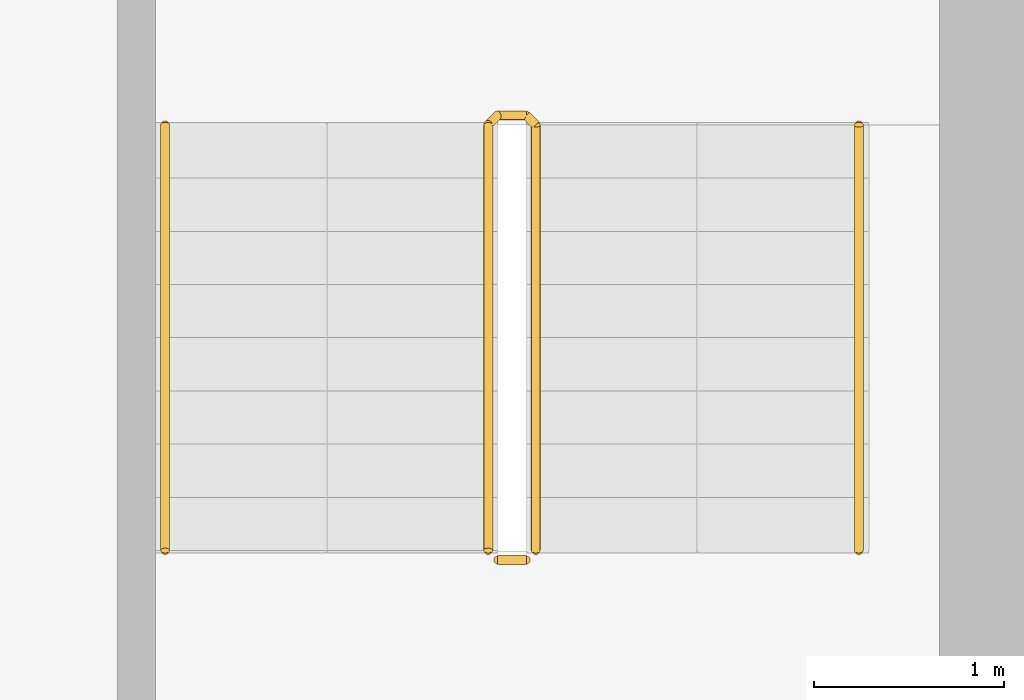
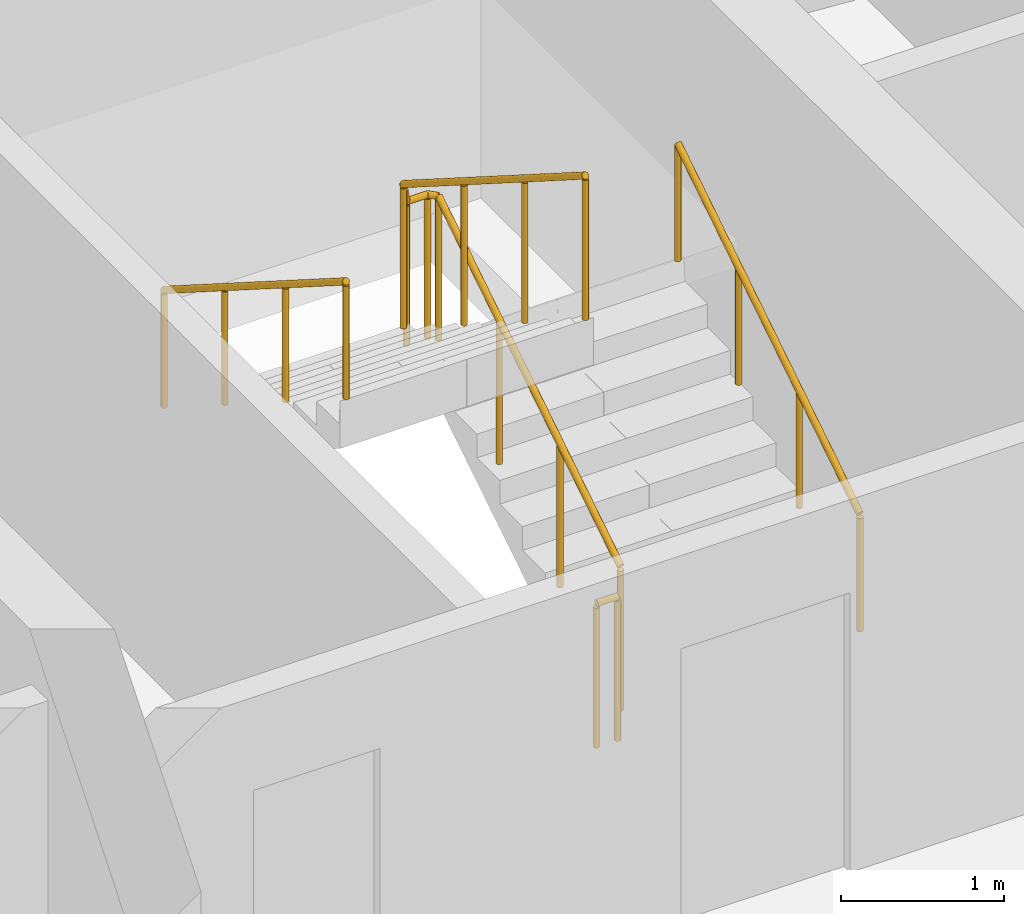
# One storey, part 17 of 17: 4 railings.
"""IFC4 building model written with IfcOpenShell, lengths in metres."""

from ifc_helpers import new_model, si_unit, direction, frame, origin, origin_2d, place, context, subcontext, project, spatial, circle, extrude, material, type_object, element, save


model = new_model("IFC4")

# Units and contexts
model_context = context("Model", 3, precision=1e-05, world=origin(), true_north=direction((0.0, 1.0)))
body_context = subcontext(model_context, "Body", "Model", "MODEL_VIEW")
ifc_project = project(units=[si_unit("LENGTHUNIT", "METRE"), si_unit("AREAUNIT", "SQUARE_METRE"), si_unit("VOLUMEUNIT", "CUBIC_METRE"), si_unit("PLANEANGLEUNIT", "RADIAN"), si_unit("MASSUNIT", "GRAM", prefix="KILO")], contexts=[model_context])

# Site, building, storey
site_placement = place(None, origin())
site = spatial("IfcSite", under=ifc_project, at=site_placement, CompositionType="ELEMENT")
building_placement = place(site_placement, origin())
building = spatial("IfcBuilding", under=site, at=building_placement, Name="Wharfspan Tower", CompositionType="ELEMENT")
storey_placement = place(building_placement, frame((0.0, 0.0, 261.100098)))
storey = spatial("IfcBuildingStorey", under=building, at=storey_placement, Name="L66", CompositionType="ELEMENT", Elevation=261.100098)

# Railings
ifc_material = material(Name="Steel S355J2", Category="steel")
railing_type_1 = type_object("IfcRailingType", Name="Stair guard 1100", PredefinedType="GUARDRAIL", material=ifc_material)
railing_1_placement = place(storey_placement, frame((48.649902, 42.0, 0.177734)))
element("IfcRailing", 1, at=railing_1_placement, inside=storey, type_object=railing_type_1, Name="L66 ST2 stair guard 1", PredefinedType="GUARDRAIL", context=body_context, shape_type="SweptSolid", body=[
    extrude(circle(Radius=0.023926, at=origin_2d()), frame((0.0, 0.0, 1.076172), z_axis=(0.0, 0.844229, 0.535982), x_axis=(-1.0, 0.0, 0.0)), (0.0, 0.0, 1.0), 2.65332),
    extrude(circle(Radius=0.023926, at=origin_2d()), frame((0.0, 2.23999, 2.498047), z_axis=(-0.705376, 0.708834, 0.0), x_axis=(-0.708834, -0.705376, 0.0)), (0.0, 0.0, 1.0), 0.070557),
    extrude(circle(Radius=0.023926, at=origin_2d()), frame((-0.049805, 2.290039, 2.498047), z_axis=(-1.0, 0.0, 0.0), x_axis=(0.0, -1.0, 0.0)), (0.0, 0.0, 1.0), 0.150146),
    extrude(circle(Radius=0.023926, at=origin_2d()), frame((-0.199951, 2.290039, 2.498047), z_axis=(-0.261612, -0.261612, 0.929042), x_axis=(0.707107, -0.707107, 0.0)), (0.0, 0.0, 1.0), 0.191406),
    extrude(circle(Radius=0.023926, at=origin_2d()), frame((-0.25, 2.23999, 2.675781), z_axis=(0.0, -0.844188, 0.536048), x_axis=(1.0, 0.0, 0.0)), (0.0, 0.0, 1.0), 2.65332),
    extrude(circle(Radius=0.020996, at=origin_2d()), origin(), (0.0, 0.0, 1.0), 1.052002),
    extrude(circle(Radius=0.020996, at=origin_2d()), frame((0.0, 0.746582, 0.474121)), (0.0, 0.0, 1.0), 1.052002),
    extrude(circle(Radius=0.020996, at=origin_2d()), frame((0.0, 1.493408, 0.947998)), (0.0, 0.0, 1.0), 1.052002),
    extrude(circle(Radius=0.020996, at=origin_2d()), frame((0.0, 2.23999, 1.422119)), (0.0, 0.0, 1.0), 1.052002),
    extrude(circle(Radius=0.020996, at=origin_2d()), frame((-0.049805, 2.290039, 1.422119)), (0.0, 0.0, 1.0), 1.052002),
    extrude(circle(Radius=0.020996, at=origin_2d()), frame((-0.199951, 2.290039, 1.422119)), (0.0, 0.0, 1.0), 1.052002),
    extrude(circle(Radius=0.020996, at=origin_2d()), frame((-0.25, 2.23999, 1.599854)), (0.0, 0.0, 1.0), 1.052002),
    extrude(circle(Radius=0.020996, at=origin_2d()), frame((-0.25, 1.493408, 2.073975)), (0.0, 0.0, 1.0), 1.052002),
    extrude(circle(Radius=0.020996, at=origin_2d()), frame((-0.25, 0.746582, 2.548096)), (0.0, 0.0, 1.0), 1.052002),
    extrude(circle(Radius=0.020996, at=origin_2d()), frame((-0.25, 0.0, 3.022217)), (0.0, 0.0, 1.0), 1.052002),
])
railing_2_placement = place(storey_placement, frame((48.600098, 41.949951, 0.0)))
element("IfcRailing", 2, at=railing_2_placement, inside=storey, type_object=railing_type_1, Name="L66 ST2 stair guard 2", PredefinedType="GUARDRAIL", context=body_context, shape_type="SweptSolid", body=[
    extrude(circle(Radius=0.023926, at=origin_2d()), frame((0.0, 0.0, 1.076172), z_axis=(-1.0, 0.0, 0.0), x_axis=(0.0, -1.0, 0.0)), (0.0, 0.0, 1.0), 0.150146),
    extrude(circle(Radius=0.020996, at=origin_2d()), origin(), (0.0, 0.0, 1.0), 1.052002),
    extrude(circle(Radius=0.020996, at=origin_2d()), frame((-0.150146, 0.0, 0.0)), (0.0, 0.0, 1.0), 1.052002),
])
railing_type_2 = type_object("IfcRailingType", Name="Stair handrail 900", PredefinedType="HANDRAIL", material=ifc_material)
railing_3_placement = place(storey_placement, frame((50.350098, 42.0, 0.177734)))
element("IfcRailing", 3, at=railing_3_placement, inside=storey, type_object=railing_type_2, Name="L66 ST2 stair handrail 1", PredefinedType="HANDRAIL", context=body_context, shape_type="SweptSolid", body=[
    extrude(circle(Radius=0.023926, at=origin_2d()), frame((0.0, 0.0, 0.875977), z_axis=(0.0, 0.844229, 0.535982), x_axis=(-1.0, 0.0, 0.0)), (0.0, 0.0, 1.0), 2.65332),
    extrude(circle(Radius=0.020996, at=origin_2d()), origin(), (0.0, 0.0, 1.0), 0.851807),
    extrude(circle(Radius=0.020996, at=origin_2d()), frame((0.0, 0.746582, 0.474121)), (0.0, 0.0, 1.0), 0.851807),
    extrude(circle(Radius=0.020996, at=origin_2d()), frame((0.0, 1.493408, 0.947998)), (0.0, 0.0, 1.0), 0.851807),
    extrude(circle(Radius=0.020996, at=origin_2d()), frame((0.0, 2.23999, 1.422119)), (0.0, 0.0, 1.0), 0.851807),
])
railing_4_placement = place(storey_placement, frame((46.699951, 44.23999, 1.777588)))
element("IfcRailing", 4, at=railing_4_placement, inside=storey, type_object=railing_type_2, Name="L66 ST2 stair handrail 2", PredefinedType="HANDRAIL", context=body_context, shape_type="SweptSolid", body=[
    extrude(circle(Radius=0.023926, at=origin_2d()), frame((0.0, 0.0, 0.875977), z_axis=(0.0, -0.844188, 0.536048), x_axis=(1.0, 0.0, 0.0)), (0.0, 0.0, 1.0), 2.65332),
    extrude(circle(Radius=0.020996, at=origin_2d()), origin(), (0.0, 0.0, 1.0), 0.851807),
    extrude(circle(Radius=0.020996, at=origin_2d()), frame((0.0, -0.746582, 0.474121)), (0.0, 0.0, 1.0), 0.851807),
    extrude(circle(Radius=0.020996, at=origin_2d()), frame((0.0, -1.493408, 0.948242)), (0.0, 0.0, 1.0), 0.851807),
    extrude(circle(Radius=0.020996, at=origin_2d()), frame((0.0, -2.23999, 1.422363)), (0.0, 0.0, 1.0), 0.851807),
])

save(model, "model.ifc")
